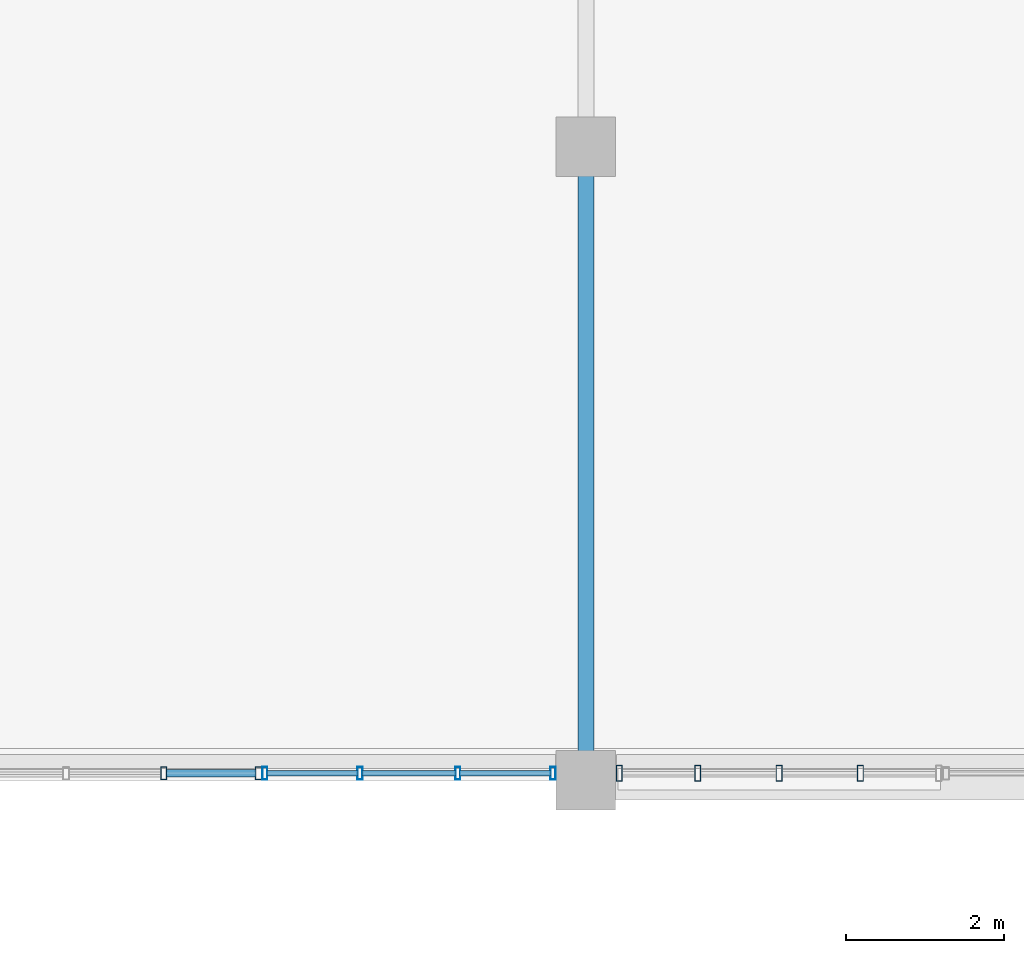
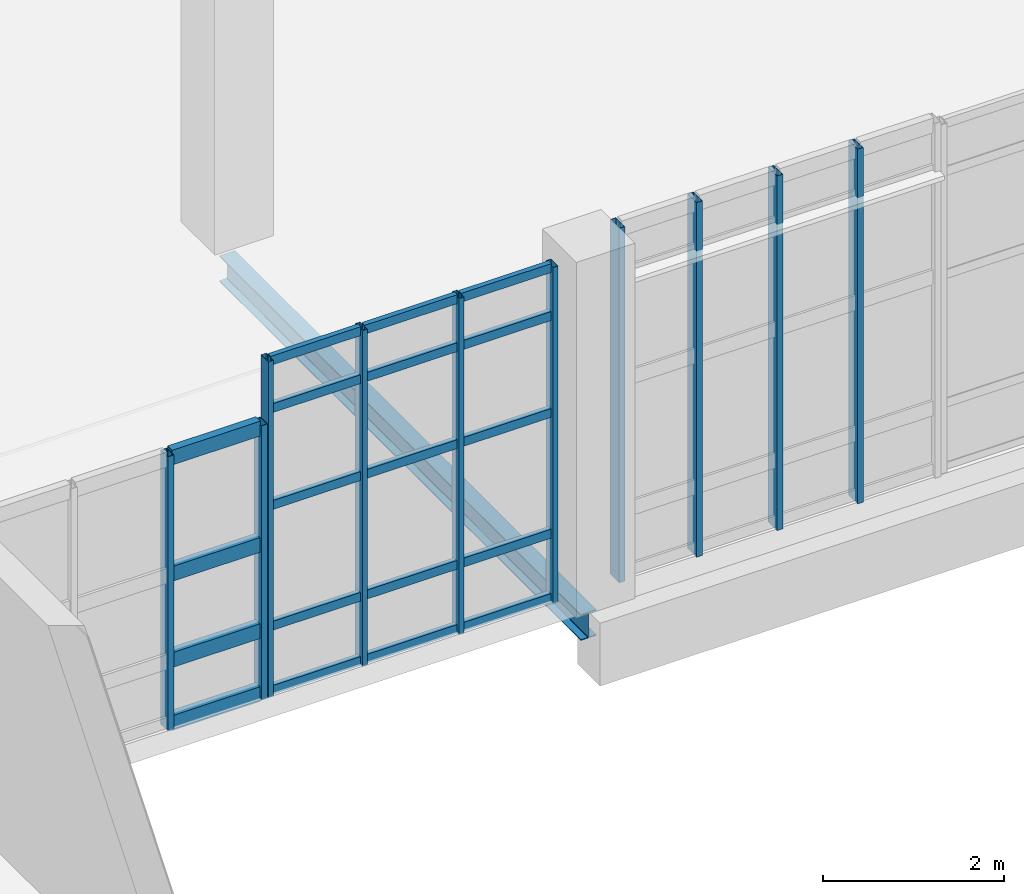
# One storey, part 57 of 127: 29 members, 1 beam, 3 elements without a shape of their own.
"""IFC4 building model written with IfcOpenShell, lengths in metres."""

import ifcopenshell
import ifcopenshell.guid

model = None  # the IFC model being written
_history = None  # IfcOwnerHistory: only IFC2X3 demands one
_inside = {}  # id of a spatial element -> (the spatial element, [elements in it])
_under = {}  # id of a project, library or spatial element -> (it, [spatial elements below it])
_declared = {}  # id of a project -> (the project, [libraries it declares])
_typed = {}  # id of a type object -> (the type object, [elements of that type])
_made_of = {}  # id of a material, layer set ... -> (it, [elements and type objects made of it])


def new_model(schema):
    """Start an empty IFC model of exactly this schema.

    Asked for "IFC4X3", IfcOpenShell would pick the latest addendum, in which some entities
    have other attributes; the version numbers below select the first issue.
    IFC2X3 requires an IfcOwnerHistory on every rooted entity: one is made here for all.
    """
    global model, _history
    if schema == "IFC4X3":
        model = ifcopenshell.file(schema_version=(4, 3, 0, 0))
    else:
        model = ifcopenshell.file(schema=schema)
    _inside.clear()
    _under.clear()
    _declared.clear()
    _typed.clear()
    _made_of.clear()
    _history = None
    if model.schema == "IFC2X3":
        org = make("IfcOrganization", Name="unknown")
        user = make(
            "IfcPersonAndOrganization",
            ThePerson=make("IfcPerson", FamilyName="unknown"),
            TheOrganization=org,
        )
        app = make(
            "IfcApplication",
            ApplicationDeveloper=org,
            Version="unknown",
            ApplicationFullName="unknown",
            ApplicationIdentifier="unknown",
        )
        _history = make(
            "IfcOwnerHistory",
            OwningUser=user,
            OwningApplication=app,
            ChangeAction="ADDED",
            CreationDate=0,
        )
    return model


def make(cls, **values):
    """One entity of the class cls with the attributes given. An attribute that is None is left unset."""
    return model.create_entity(
        cls, **{name: value for name, value in values.items() if value is not None}
    )


def rooted(cls, **values):
    """An entity with a GlobalId (a new one), such as an element, a storey or a relation."""
    return make(cls, GlobalId=ifcopenshell.guid.new(), OwnerHistory=_history, **values)


def si_unit(unit_type, name, prefix=None):
    """IfcSIUnit, for example si_unit("LENGTHUNIT", "METRE", prefix="MILLI")."""
    return make("IfcSIUnit", UnitType=unit_type, Prefix=prefix, Name=name)


def derived_unit(unit_type, elements):
    """IfcDerivedUnit: a product of units, each with its exponent."""
    return make(
        "IfcDerivedUnit",
        Elements=[
            make("IfcDerivedUnitElement", Unit=unit, Exponent=power)
            for unit, power in elements
        ],
        UnitType=unit_type,
    )


def assignment(units):
    """IfcUnitAssignment: the units of a project."""
    return None if units is None else make("IfcUnitAssignment", Units=units)


def point(xyz):
    """IfcCartesianPoint."""
    return None if xyz is None else make("IfcCartesianPoint", Coordinates=xyz)


def direction(xyz):
    """IfcDirection."""
    return None if xyz is None else make("IfcDirection", DirectionRatios=xyz)


def frame(location, z_axis=None, x_axis=None):
    """IfcAxis2Placement3D, a coordinate frame: its origin and axes. An axis left out is left unset."""
    return make(
        "IfcAxis2Placement3D",
        Location=point(location),
        Axis=direction(z_axis),
        RefDirection=direction(x_axis),
    )


def frame_2d(location, x_axis=None):
    """IfcAxis2Placement2D, a coordinate frame in the plane: its origin and x axis."""
    return make(
        "IfcAxis2Placement2D", Location=point(location), RefDirection=direction(x_axis)
    )


def origin():
    """The frame at (0, 0, 0) with its axes left unset."""
    return frame((0.0, 0.0, 0.0))


def origin_2d():
    """The frame at (0, 0) in the plane with its x axis left unset."""
    return frame_2d((0.0, 0.0))


def place(relative_to, where):
    """IfcLocalPlacement: puts the frame where relative to a parent placement (None: the world)."""
    return make(
        "IfcLocalPlacement", PlacementRelTo=relative_to, RelativePlacement=where
    )


def context(
    kind, dimensions, precision=None, world=None, true_north=None, identifier=None
):
    """IfcGeometricRepresentationContext, for example the 3D "Model" context."""
    return make(
        "IfcGeometricRepresentationContext",
        ContextIdentifier=identifier,
        ContextType=kind,
        CoordinateSpaceDimension=dimensions,
        Precision=precision,
        WorldCoordinateSystem=world,
        TrueNorth=true_north,
    )


def subcontext(parent, identifier, kind, view, scale=None):
    """IfcGeometricRepresentationSubContext, for example "Body" below "Model"."""
    return make(
        "IfcGeometricRepresentationSubContext",
        ContextIdentifier=identifier,
        ContextType=kind,
        ParentContext=parent,
        TargetScale=scale,
        TargetView=view,
    )


def project(units=None, contexts=None):
    """IfcProject with its units and contexts."""
    return rooted(
        "IfcProject",
        Name="project",
        RepresentationContexts=contexts,
        UnitsInContext=assignment(units),
    )


def spatial(cls, under=None, at=None, **own):
    """A site, building, storey or space (cls), placed at a placement, below another one or the project."""
    s = rooted(cls, ObjectPlacement=at, **own)
    if under is not None:
        _under.setdefault(under.id(), (under, []))[1].append(s)
    return s


def profile(cls, at=None, kind="AREA", **sizes):
    """A parametric profile (cls). Its sizes go by their IFC names, for example OverallWidth=200.0."""
    return make(cls, ProfileType=kind, Position=at, **sizes)


def hollow_rectangle(**sizes):
    """IfcRectangleHollowProfileDef."""
    return profile("IfcRectangleHollowProfileDef", **sizes)


def i_section(**sizes):
    """IfcIShapeProfileDef."""
    return profile("IfcIShapeProfileDef", **sizes)


def extrude(swept, where, along, depth):
    """IfcExtrudedAreaSolid: the profile swept, set in the frame where, extruded along a direction by depth."""
    return make(
        "IfcExtrudedAreaSolid",
        SweptArea=swept,
        Position=where,
        ExtrudedDirection=direction(along),
        Depth=depth,
    )


def shape(context_of_items, identifier, shape_type, items):
    """IfcShapeRepresentation: the items that make up one representation, for example the "Body"."""
    return make(
        "IfcShapeRepresentation",
        ContextOfItems=context_of_items,
        RepresentationIdentifier=identifier,
        RepresentationType=shape_type,
        Items=items,
    )


def material(Name=None, Category=None):
    """IfcMaterial."""
    return make("IfcMaterial", Name=Name, Category=Category)


def layer(
    of_material, thickness, ventilated=None, Name=None, Category=None, Priority=None
):
    """IfcMaterialLayer: one layer of a wall or slab, of a material (None: an air gap)."""
    return make(
        "IfcMaterialLayer",
        Material=of_material,
        LayerThickness=thickness,
        IsVentilated=ventilated,
        Name=Name,
        Category=Category,
        Priority=Priority,
    )


def layer_set(layers, Name=None):
    """IfcMaterialLayerSet."""
    return make("IfcMaterialLayerSet", MaterialLayers=layers, LayerSetName=Name)


def material_profile(
    of_material, cross_section, Name=None, Category=None, Priority=None
):
    """IfcMaterialProfile: a cross section and its material."""
    return make(
        "IfcMaterialProfile",
        Name=Name,
        Material=of_material,
        Profile=cross_section,
        Priority=Priority,
        Category=Category,
    )


def profile_set(profiles, Name=None, composite=None):
    """IfcMaterialProfileSet."""
    return make(
        "IfcMaterialProfileSet",
        Name=Name,
        MaterialProfiles=profiles,
        CompositeProfile=composite,
    )


def made_of(thing, what):
    """Note that an element or type object is made of a material, layer set ...; save() writes the relation."""
    if what is not None:
        _made_of.setdefault(what.id(), (what, []))[1].append(thing)
    return thing


def type_object(cls, material=None, **own):
    """A type object (cls), such as IfcWallType, which elements share."""
    return made_of(rooted(cls, **own), material)


def element(
    cls,
    number,
    at=None,
    inside=None,
    cuts=None,
    type_object=None,
    material=None,
    context=None,
    identifier="Body",
    shape_type=None,
    held_by="IfcProductDefinitionShape",
    body=None,
    shapes=None,
    **own,
):
    """One element of the class cls, such as IfcWall. Its Tag is "e" and its number.

    at: its placement. inside: the storey or other place that contains it. cuts: it is an
    opening in that element (IfcRelVoidsElement). A single representation is given by context,
    identifier, shape_type and body (its items); several are given by shapes. held_by: the class
    of the entity that holds the representations. save() writes the other relations.
    """
    e = rooted(cls, Tag="e%d" % number, ObjectPlacement=at, **own)
    if body is not None:
        shapes = [shape(context, identifier, shape_type, body)]
    if shapes is not None:
        e.Representation = make(held_by, Representations=shapes)
    if inside is not None:
        _inside.setdefault(inside.id(), (inside, []))[1].append(e)
    if cuts is not None:
        rooted(
            "IfcRelVoidsElement", RelatingBuildingElement=cuts, RelatedOpeningElement=e
        )
    if type_object is not None:
        _typed.setdefault(type_object.id(), (type_object, []))[1].append(e)
    return made_of(e, material)


def aggregate(whole, parts):
    """IfcRelAggregates: a whole, such as a stair, and the parts it consists of."""
    return rooted("IfcRelAggregates", RelatingObject=whole, RelatedObjects=parts)


def save(model, path):
    """Write the relations noted so far, then the file.

    IfcRelAggregates (storeys below a building ...), IfcRelContainedInSpatialStructure (elements
    in a storey), IfcRelDefinesByType, IfcRelAssociatesMaterial and IfcRelDeclares: one each for
    every whole, place, type object, material and project.
    """
    for whole, parts in _under.values():
        aggregate(whole, parts)
    for where, things in _inside.values():
        rooted(
            "IfcRelContainedInSpatialStructure",
            RelatedElements=things,
            RelatingStructure=where,
        )
    for kind, things in _typed.values():
        rooted("IfcRelDefinesByType", RelatedObjects=things, RelatingType=kind)
    for what, things in _made_of.values():
        rooted("IfcRelAssociatesMaterial", RelatedObjects=things, RelatingMaterial=what)
    for by, libraries in _declared.values():
        rooted("IfcRelDeclares", RelatingContext=by, RelatedDefinitions=libraries)
    model.write(path)


model = new_model("IFC4")

# Units and contexts
model_context = context("Model", 3, precision=1e-05, world=origin(), true_north=direction((0.0, 1.0)))
body_context = subcontext(model_context, "Body", "Model", "MODEL_VIEW")
ifc_project = project(units=[si_unit("LENGTHUNIT", "METRE"), si_unit("AREAUNIT", "SQUARE_METRE"), si_unit("VOLUMEUNIT", "CUBIC_METRE"), si_unit("PLANEANGLEUNIT", "RADIAN"), si_unit("MASSUNIT", "GRAM", prefix="KILO"), derived_unit("THERMALTRANSMITTANCEUNIT", [(si_unit("POWERUNIT", "WATT"), 1), (si_unit("LENGTHUNIT", "METRE"), -2), (si_unit("THERMODYNAMICTEMPERATUREUNIT", "KELVIN"), -1)])], contexts=[model_context])

# Site, building, storey
site_placement = place(None, origin())
site = spatial("IfcSite", under=ifc_project, at=site_placement, CompositionType="ELEMENT")
building_placement = place(site_placement, origin())
building = spatial("IfcBuilding", under=site, at=building_placement, Name="Nallur Shell Playhouse", CompositionType="ELEMENT")
storey_placement = place(building_placement, frame((0.0, 0.0, 5.39990234375)))
storey = spatial("IfcBuildingStorey", under=building, at=storey_placement, Name="L02", CompositionType="ELEMENT", Elevation=5.39990234375)

# Beam
ifc_material_1 = material(Name="Steel E350", Category="steel")
ifc_material_profile_1 = material_profile(ifc_material_1, i_section(OverallWidth=0.199951171875, OverallDepth=0.35009765625, WebThickness=0.008056640625, FlangeThickness=0.011474609375, FilletRadius=0.011962890625, at=origin_2d()), Name="ISWB 350")
ifc_profile_set_1 = profile_set([ifc_material_profile_1], Name="Steel E350")
beam_type = type_object("IfcBeamType", Name="BM-ST-ISWB350", PredefinedType="BEAM", material=ifc_profile_set_1)
beam_placement = place(storey_placement, frame((126.39990234375, 24.0, -0.454833984375), z_axis=(0.0, 1.0, 0.0), x_axis=(-1.0, 0.0, 0.0)))
element("IfcBeam", 1, at=beam_placement, inside=storey, type_object=beam_type, Name="L02 girder Y-16-454", PredefinedType="BEAM", context=body_context, shape_type="SweptSolid", body=[
    extrude(i_section(OverallWidth=0.199951171875, OverallDepth=0.35009765625, WebThickness=0.008056640625, FlangeThickness=0.011474609375, FilletRadius=0.011962890625, at=origin_2d()), origin(), (0.0, 0.0, 1.0), 8.0),
])

# Curtain wall, members
ifc_material_2 = material(Name="Anodised Aluminium Double-Glazed Facade System", Category="aluminium")
ifc_layer_1 = layer(ifc_material_2, 0.159912109375)
ifc_layer_set_1 = layer_set([ifc_layer_1], Name="Anodised Aluminium Double-Glazed Facade System")
curtain_wall_type_1 = type_object("IfcCurtainWallType", Name="CW-UNIT-18", PredefinedType="NOTDEFINED", material=ifc_layer_set_1)
curtain_wall_1_placement = place(storey_placement, origin())
curtain_wall_1 = element("IfcCurtainWall", 2, at=curtain_wall_1_placement, inside=storey, type_object=curtain_wall_type_1, Name="Unitised curtain wall CW-050 (L02)", PredefinedType="NOTDEFINED")
ifc_material_3 = material(Name="Aluminium Alloy 6063-T6 Mullion", Category="aluminium")
ifc_material_profile_2 = material_profile(ifc_material_3, hollow_rectangle(XDim=0.080078125, YDim=0.159912109375, WallThickness=0.006103515625, at=origin_2d()), Name="RHS 160x80x6")
ifc_profile_set_2 = profile_set([ifc_material_profile_2], Name="Aluminium Alloy 6063-T6 Mullion")
member_type_1 = type_object("IfcMemberType", Name="MB-CW-MUL150", PredefinedType="MULLION", material=ifc_profile_set_2)
member_1_placement = place(storey_placement, frame((122.263427734375, 24.090087890625, -0.014892578125), z_axis=(0.0, 0.0, 1.0), x_axis=(-1.0, 0.0, 0.0)))
member_1 = element("IfcMember", 3, at=member_1_placement, type_object=member_type_1, Name="CW-18 mullion 1", PredefinedType="MULLION", context=body_context, shape_type="SweptSolid", body=[
    extrude(hollow_rectangle(XDim=0.080078125, YDim=0.159912109375, WallThickness=0.006103515625, at=origin_2d()), origin(), (0.0, 0.0, 1.0), 3.7041015625),
])
member_2_placement = place(storey_placement, frame((121.069091796875, 24.090087890625, -0.014892578125), z_axis=(0.0, 0.0, 1.0), x_axis=(-1.0, 0.0, 0.0)))
member_2 = element("IfcMember", 4, at=member_2_placement, type_object=member_type_1, Name="CW-18 mullion 2", PredefinedType="MULLION", context=body_context, shape_type="SweptSolid", body=[
    extrude(hollow_rectangle(XDim=0.080078125, YDim=0.159912109375, WallThickness=0.006103515625, at=origin_2d()), origin(), (0.0, 0.0, 1.0), 3.7041015625),
])

ifc_layer_2 = layer(ifc_material_2, 0.179931640625)
ifc_layer_set_2 = layer_set([ifc_layer_2], Name="Anodised Aluminium Double-Glazed Facade System")
curtain_wall_type_2 = type_object("IfcCurtainWallType", Name="CW-UNIT-17", PredefinedType="NOTDEFINED", material=ifc_layer_set_2)
curtain_wall_2_placement = place(storey_placement, origin())
curtain_wall_2 = element("IfcCurtainWall", 5, at=curtain_wall_2_placement, inside=storey, type_object=curtain_wall_type_2, Name="Unitised curtain wall CW-049 (L02)", PredefinedType="NOTDEFINED")
ifc_material_profile_3 = material_profile(ifc_material_3, hollow_rectangle(XDim=0.06494140625, YDim=0.159912109375, WallThickness=0.00390625, at=origin_2d()), Name="ALU 65x160x4")
ifc_profile_set_3 = profile_set([ifc_material_profile_3], Name="Aluminium Alloy 6063-T6 Mullion")
member_type_2 = type_object("IfcMemberType", Name="MB-CW-MUL160", PredefinedType="MULLION", material=ifc_profile_set_3)
member_3_placement = place(storey_placement, frame((125.984619140625, 24.090087890625, -0.014892578125), z_axis=(0.0, 0.0, 1.0), x_axis=(-1.0, 0.0, 0.0)))
member_3 = element("IfcMember", 6, at=member_3_placement, type_object=member_type_2, Name="CW-17 mullion 1", PredefinedType="MULLION", context=body_context, shape_type="SweptSolid", body=[
    extrude(hollow_rectangle(XDim=0.06494140625, YDim=0.159912109375, WallThickness=0.00390625, at=origin_2d()), origin(), (0.0, 0.0, 1.0), 4.5390625),
])
member_4_placement = place(storey_placement, frame((124.782470703125, 24.090087890625, -0.014892578125), z_axis=(0.0, 0.0, 1.0), x_axis=(-1.0, 0.0, 0.0)))
member_4 = element("IfcMember", 7, at=member_4_placement, type_object=member_type_2, Name="CW-17 mullion 2", PredefinedType="MULLION", context=body_context, shape_type="SweptSolid", body=[
    extrude(hollow_rectangle(XDim=0.06494140625, YDim=0.159912109375, WallThickness=0.00390625, at=origin_2d()), origin(), (0.0, 0.0, 1.0), 4.5390625),
])
member_5_placement = place(storey_placement, frame((123.548095703125, 24.090087890625, -0.014892578125), z_axis=(0.0, 0.0, 1.0), x_axis=(-1.0, 0.0, 0.0)))
member_5 = element("IfcMember", 8, at=member_5_placement, type_object=member_type_2, Name="CW-17 mullion 3", PredefinedType="MULLION", context=body_context, shape_type="SweptSolid", body=[
    extrude(hollow_rectangle(XDim=0.06494140625, YDim=0.159912109375, WallThickness=0.00390625, at=origin_2d()), origin(), (0.0, 0.0, 1.0), 4.5390625),
])
member_6_placement = place(storey_placement, frame((122.345947265625, 24.090087890625, -0.014892578125), z_axis=(0.0, 0.0, 1.0), x_axis=(-1.0, 0.0, 0.0)))
member_6 = element("IfcMember", 9, at=member_6_placement, type_object=member_type_2, Name="CW-17 mullion 4", PredefinedType="MULLION", context=body_context, shape_type="SweptSolid", body=[
    extrude(hollow_rectangle(XDim=0.06494140625, YDim=0.159912109375, WallThickness=0.00390625, at=origin_2d()), origin(), (0.0, 0.0, 1.0), 4.5390625),
])

ifc_layer_3 = layer(ifc_material_2, 0.176025390625)
ifc_layer_set_3 = layer_set([ifc_layer_3], Name="Anodised Aluminium Double-Glazed Facade System")
curtain_wall_type_3 = type_object("IfcCurtainWallType", Name="CW-UNIT-16", PredefinedType="NOTDEFINED", material=ifc_layer_set_3)
curtain_wall_3_placement = place(storey_placement, origin())
curtain_wall_3 = element("IfcCurtainWall", 10, at=curtain_wall_3_placement, inside=storey, type_object=curtain_wall_type_3, Name="Unitised curtain wall CW-048 (L02)", PredefinedType="NOTDEFINED")
ifc_material_profile_4 = material_profile(ifc_material_3, hollow_rectangle(XDim=0.074951171875, YDim=0.199951171875, WallThickness=0.0048828125, at=origin_2d()), Name="ALU 75x200x5")
ifc_profile_set_4 = profile_set([ifc_material_profile_4], Name="Aluminium Alloy 6063-T6 Mullion")
member_type_3 = type_object("IfcMemberType", Name="MB-CW-MUL180", PredefinedType="MULLION", material=ifc_profile_set_4)
member_7_placement = place(storey_placement, frame((129.866943359375, 24.090087890625, -0.014892578125), z_axis=(0.0, 0.0, 1.0), x_axis=(-1.0, 0.0, 0.0)))
member_7 = element("IfcMember", 11, at=member_7_placement, type_object=member_type_3, Name="CW-16 mullion 2", PredefinedType="MULLION", context=body_context, shape_type="SweptSolid", body=[
    extrude(hollow_rectangle(XDim=0.074951171875, YDim=0.199951171875, WallThickness=0.0048828125, at=origin_2d()), origin(), (0.0, 0.0, 1.0), 4.7890625),
])
member_8_placement = place(storey_placement, frame((128.839111328125, 24.090087890625, -0.014892578125), z_axis=(0.0, 0.0, 1.0), x_axis=(-1.0, 0.0, 0.0)))
member_8 = element("IfcMember", 12, at=member_8_placement, type_object=member_type_3, Name="CW-16 mullion 3", PredefinedType="MULLION", context=body_context, shape_type="SweptSolid", body=[
    extrude(hollow_rectangle(XDim=0.074951171875, YDim=0.199951171875, WallThickness=0.0048828125, at=origin_2d()), origin(), (0.0, 0.0, 1.0), 4.7890625),
])
member_9_placement = place(storey_placement, frame((127.81103515625, 24.090087890625, -0.014892578125), z_axis=(0.0, 0.0, 1.0), x_axis=(-1.0, 0.0, 0.0)))
member_9 = element("IfcMember", 13, at=member_9_placement, type_object=member_type_3, Name="CW-16 mullion 4", PredefinedType="MULLION", context=body_context, shape_type="SweptSolid", body=[
    extrude(hollow_rectangle(XDim=0.074951171875, YDim=0.199951171875, WallThickness=0.0048828125, at=origin_2d()), origin(), (0.0, 0.0, 1.0), 4.7890625),
])
member_10_placement = place(storey_placement, frame((126.820556640625, 24.090087890625, -0.014892578125), z_axis=(0.0, 0.0, 1.0), x_axis=(-1.0, 0.0, 0.0)))
member_10 = element("IfcMember", 14, at=member_10_placement, type_object=member_type_3, Name="CW-16 mullion 5", PredefinedType="MULLION", context=body_context, shape_type="SweptSolid", body=[
    extrude(hollow_rectangle(XDim=0.074951171875, YDim=0.199951171875, WallThickness=0.0048828125, at=origin_2d()), origin(), (0.0, 0.0, 1.0), 4.7890625),
])
aggregate(curtain_wall_3, [member_7, member_8, member_9, member_10])

# Member
ifc_material_4 = material(Name="Aluminium Alloy 6063-T6 Transom", Category="aluminium")
ifc_material_profile_5 = material_profile(ifc_material_4, hollow_rectangle(XDim=0.06494140625, YDim=0.1201171875, WallThickness=0.00390625, at=origin_2d()), Name="ALU 65x120x4")
ifc_profile_set_5 = profile_set([ifc_material_profile_5], Name="Aluminium Alloy 6063-T6 Transom")
member_type_4 = type_object("IfcMemberType", Name="MB-CW-TRN120", PredefinedType="USERDEFINED", material=ifc_profile_set_5)
member_11_placement = place(storey_placement, frame((125.9599609375, 24.090087890625, 0.03271484375), z_axis=(-1.0, 0.0, 0.0), x_axis=(0.0, -1.0, 0.0)))
member_11 = element("IfcMember", 15, at=member_11_placement, type_object=member_type_4, Name="CW-17 transom 1.1", ObjectType="TRANSOM", PredefinedType="USERDEFINED", context=body_context, shape_type="SweptSolid", body=[
    extrude(hollow_rectangle(XDim=0.06494140625, YDim=0.1201171875, WallThickness=0.00390625, at=origin_2d()), origin(), (0.0, 0.0, 1.0), 1.153076171875),
])

member_12_placement = place(storey_placement, frame((125.9599609375, 24.090087890625, 0.900146484375), z_axis=(-1.0, 0.0, 0.0), x_axis=(0.0, -1.0, 0.0)))
member_12 = element("IfcMember", 16, at=member_12_placement, type_object=member_type_4, Name="CW-17 transom 1.2", ObjectType="TRANSOM", PredefinedType="USERDEFINED", context=body_context, shape_type="SweptSolid", body=[
    extrude(hollow_rectangle(XDim=0.06494140625, YDim=0.1201171875, WallThickness=0.00390625, at=origin_2d()), origin(), (0.0, 0.0, 1.0), 1.153076171875),
])

member_13_placement = place(storey_placement, frame((125.9599609375, 24.090087890625, 2.531005859375), z_axis=(-1.0, 0.0, 0.0), x_axis=(0.0, -1.0, 0.0)))
member_13 = element("IfcMember", 17, at=member_13_placement, type_object=member_type_4, Name="CW-17 transom 1.3", ObjectType="TRANSOM", PredefinedType="USERDEFINED", context=body_context, shape_type="SweptSolid", body=[
    extrude(hollow_rectangle(XDim=0.06494140625, YDim=0.1201171875, WallThickness=0.00390625, at=origin_2d()), origin(), (0.0, 0.0, 1.0), 1.153076171875),
])

member_14_placement = place(storey_placement, frame((125.9599609375, 24.090087890625, 3.840087890625), z_axis=(-1.0, 0.0, 0.0), x_axis=(0.0, -1.0, 0.0)))
member_14 = element("IfcMember", 18, at=member_14_placement, type_object=member_type_4, Name="CW-17 transom 1.4", ObjectType="TRANSOM", PredefinedType="USERDEFINED", context=body_context, shape_type="SweptSolid", body=[
    extrude(hollow_rectangle(XDim=0.06494140625, YDim=0.1201171875, WallThickness=0.00390625, at=origin_2d()), origin(), (0.0, 0.0, 1.0), 1.153076171875),
])

member_15_placement = place(storey_placement, frame((125.9599609375, 24.090087890625, 4.487548828125), z_axis=(-1.0, 0.0, 0.0), x_axis=(0.0, -1.0, 0.0)))
member_15 = element("IfcMember", 19, at=member_15_placement, type_object=member_type_4, Name="CW-17 transom 1.5", ObjectType="TRANSOM", PredefinedType="USERDEFINED", context=body_context, shape_type="SweptSolid", body=[
    extrude(hollow_rectangle(XDim=0.06494140625, YDim=0.1201171875, WallThickness=0.00390625, at=origin_2d()), origin(), (0.0, 0.0, 1.0), 1.153076171875),
])

member_16_placement = place(storey_placement, frame((124.758056640625, 24.090087890625, 0.03271484375), z_axis=(-1.0, 0.0, 0.0), x_axis=(0.0, -1.0, 0.0)))
member_16 = element("IfcMember", 20, at=member_16_placement, type_object=member_type_4, Name="CW-17 transom 2.1", ObjectType="TRANSOM", PredefinedType="USERDEFINED", context=body_context, shape_type="SweptSolid", body=[
    extrude(hollow_rectangle(XDim=0.06494140625, YDim=0.1201171875, WallThickness=0.00390625, at=origin_2d()), origin(), (0.0, 0.0, 1.0), 1.185546875),
])

member_17_placement = place(storey_placement, frame((124.758056640625, 24.090087890625, 0.900146484375), z_axis=(-1.0, 0.0, 0.0), x_axis=(0.0, -1.0, 0.0)))
member_17 = element("IfcMember", 21, at=member_17_placement, type_object=member_type_4, Name="CW-17 transom 2.2", ObjectType="TRANSOM", PredefinedType="USERDEFINED", context=body_context, shape_type="SweptSolid", body=[
    extrude(hollow_rectangle(XDim=0.06494140625, YDim=0.1201171875, WallThickness=0.00390625, at=origin_2d()), origin(), (0.0, 0.0, 1.0), 1.185546875),
])

member_18_placement = place(storey_placement, frame((124.758056640625, 24.090087890625, 2.531005859375), z_axis=(-1.0, 0.0, 0.0), x_axis=(0.0, -1.0, 0.0)))
member_18 = element("IfcMember", 22, at=member_18_placement, type_object=member_type_4, Name="CW-17 transom 2.3", ObjectType="TRANSOM", PredefinedType="USERDEFINED", context=body_context, shape_type="SweptSolid", body=[
    extrude(hollow_rectangle(XDim=0.06494140625, YDim=0.1201171875, WallThickness=0.00390625, at=origin_2d()), origin(), (0.0, 0.0, 1.0), 1.185546875),
])

member_19_placement = place(storey_placement, frame((124.758056640625, 24.090087890625, 3.840087890625), z_axis=(-1.0, 0.0, 0.0), x_axis=(0.0, -1.0, 0.0)))
member_19 = element("IfcMember", 23, at=member_19_placement, type_object=member_type_4, Name="CW-17 transom 2.4", ObjectType="TRANSOM", PredefinedType="USERDEFINED", context=body_context, shape_type="SweptSolid", body=[
    extrude(hollow_rectangle(XDim=0.06494140625, YDim=0.1201171875, WallThickness=0.00390625, at=origin_2d()), origin(), (0.0, 0.0, 1.0), 1.185546875),
])

member_20_placement = place(storey_placement, frame((124.758056640625, 24.090087890625, 4.487548828125), z_axis=(-1.0, 0.0, 0.0), x_axis=(0.0, -1.0, 0.0)))
member_20 = element("IfcMember", 24, at=member_20_placement, type_object=member_type_4, Name="CW-17 transom 2.5", ObjectType="TRANSOM", PredefinedType="USERDEFINED", context=body_context, shape_type="SweptSolid", body=[
    extrude(hollow_rectangle(XDim=0.06494140625, YDim=0.1201171875, WallThickness=0.00390625, at=origin_2d()), origin(), (0.0, 0.0, 1.0), 1.185546875),
])

member_21_placement = place(storey_placement, frame((123.5234375, 24.090087890625, 0.03271484375), z_axis=(-1.0, 0.0, 0.0), x_axis=(0.0, -1.0, 0.0)))
member_21 = element("IfcMember", 25, at=member_21_placement, type_object=member_type_4, Name="CW-17 transom 3.1", ObjectType="TRANSOM", PredefinedType="USERDEFINED", context=body_context, shape_type="SweptSolid", body=[
    extrude(hollow_rectangle(XDim=0.06494140625, YDim=0.1201171875, WallThickness=0.00390625, at=origin_2d()), origin(), (0.0, 0.0, 1.0), 1.15283203125),
])

member_22_placement = place(storey_placement, frame((123.5234375, 24.090087890625, 0.900146484375), z_axis=(-1.0, 0.0, 0.0), x_axis=(0.0, -1.0, 0.0)))
member_22 = element("IfcMember", 26, at=member_22_placement, type_object=member_type_4, Name="CW-17 transom 3.2", ObjectType="TRANSOM", PredefinedType="USERDEFINED", context=body_context, shape_type="SweptSolid", body=[
    extrude(hollow_rectangle(XDim=0.06494140625, YDim=0.1201171875, WallThickness=0.00390625, at=origin_2d()), origin(), (0.0, 0.0, 1.0), 1.15283203125),
])

member_23_placement = place(storey_placement, frame((123.5234375, 24.090087890625, 2.531005859375), z_axis=(-1.0, 0.0, 0.0), x_axis=(0.0, -1.0, 0.0)))
member_23 = element("IfcMember", 27, at=member_23_placement, type_object=member_type_4, Name="CW-17 transom 3.3", ObjectType="TRANSOM", PredefinedType="USERDEFINED", context=body_context, shape_type="SweptSolid", body=[
    extrude(hollow_rectangle(XDim=0.06494140625, YDim=0.1201171875, WallThickness=0.00390625, at=origin_2d()), origin(), (0.0, 0.0, 1.0), 1.15283203125),
])

member_24_placement = place(storey_placement, frame((123.5234375, 24.090087890625, 3.840087890625), z_axis=(-1.0, 0.0, 0.0), x_axis=(0.0, -1.0, 0.0)))
member_24 = element("IfcMember", 28, at=member_24_placement, type_object=member_type_4, Name="CW-17 transom 3.4", ObjectType="TRANSOM", PredefinedType="USERDEFINED", context=body_context, shape_type="SweptSolid", body=[
    extrude(hollow_rectangle(XDim=0.06494140625, YDim=0.1201171875, WallThickness=0.00390625, at=origin_2d()), origin(), (0.0, 0.0, 1.0), 1.15283203125),
])

member_25_placement = place(storey_placement, frame((123.5234375, 24.090087890625, 4.487548828125), z_axis=(-1.0, 0.0, 0.0), x_axis=(0.0, -1.0, 0.0)))
member_25 = element("IfcMember", 29, at=member_25_placement, type_object=member_type_4, Name="CW-17 transom 3.5", ObjectType="TRANSOM", PredefinedType="USERDEFINED", context=body_context, shape_type="SweptSolid", body=[
    extrude(hollow_rectangle(XDim=0.06494140625, YDim=0.1201171875, WallThickness=0.00390625, at=origin_2d()), origin(), (0.0, 0.0, 1.0), 1.15283203125),
])

aggregate(curtain_wall_2, [member_3, member_4, member_5, member_6, member_11, member_12, member_13, member_14, member_15, member_16, member_17, member_18, member_19, member_20, member_21, member_22, member_23, member_24, member_25])

ifc_material_profile_6 = material_profile(ifc_material_4, hollow_rectangle(XDim=0.10009765625, YDim=0.199951171875, WallThickness=0.008056640625, at=origin_2d()), Name="RHS 200x100x8")
ifc_profile_set_6 = profile_set([ifc_material_profile_6], Name="Aluminium Alloy 6063-T6 Transom")
member_type_5 = type_object("IfcMemberType", Name="MB-CW-TRN140", PredefinedType="USERDEFINED", material=ifc_profile_set_6)
member_26_placement = place(storey_placement, frame((122.2314453125, 24.090087890625, 0.050048828125), z_axis=(-1.0, 0.0, 0.0), x_axis=(0.0, -1.0, 0.0)))
member_26 = element("IfcMember", 30, at=member_26_placement, type_object=member_type_5, Name="CW-18 transom 1.1", ObjectType="TRANSOM", PredefinedType="USERDEFINED", context=body_context, shape_type="SweptSolid", body=[
    extrude(hollow_rectangle(XDim=0.10009765625, YDim=0.199951171875, WallThickness=0.008056640625, at=origin_2d()), origin(), (0.0, 0.0, 1.0), 1.13037109375),
])

member_27_placement = place(storey_placement, frame((122.2314453125, 24.090087890625, 0.900146484375), z_axis=(-1.0, 0.0, 0.0), x_axis=(0.0, -1.0, 0.0)))
member_27 = element("IfcMember", 31, at=member_27_placement, type_object=member_type_5, Name="CW-18 transom 1.2", ObjectType="TRANSOM", PredefinedType="USERDEFINED", context=body_context, shape_type="SweptSolid", body=[
    extrude(hollow_rectangle(XDim=0.10009765625, YDim=0.199951171875, WallThickness=0.008056640625, at=origin_2d()), origin(), (0.0, 0.0, 1.0), 1.13037109375),
])

member_28_placement = place(storey_placement, frame((122.2314453125, 24.090087890625, 2.064208984375), z_axis=(-1.0, 0.0, 0.0), x_axis=(0.0, -1.0, 0.0)))
member_28 = element("IfcMember", 32, at=member_28_placement, type_object=member_type_5, Name="CW-18 transom 1.3", ObjectType="TRANSOM", PredefinedType="USERDEFINED", context=body_context, shape_type="SweptSolid", body=[
    extrude(hollow_rectangle(XDim=0.10009765625, YDim=0.199951171875, WallThickness=0.008056640625, at=origin_2d()), origin(), (0.0, 0.0, 1.0), 1.13037109375),
])

member_29_placement = place(storey_placement, frame((122.2314453125, 24.090087890625, 3.635009765625), z_axis=(-1.0, 0.0, 0.0), x_axis=(0.0, -1.0, 0.0)))
member_29 = element("IfcMember", 33, at=member_29_placement, type_object=member_type_5, Name="CW-18 transom 1.4", ObjectType="TRANSOM", PredefinedType="USERDEFINED", context=body_context, shape_type="SweptSolid", body=[
    extrude(hollow_rectangle(XDim=0.10009765625, YDim=0.199951171875, WallThickness=0.008056640625, at=origin_2d()), origin(), (0.0, 0.0, 1.0), 1.13037109375),
])

aggregate(curtain_wall_1, [member_1, member_2, member_26, member_27, member_28, member_29])

save(model, "model.ifc")
